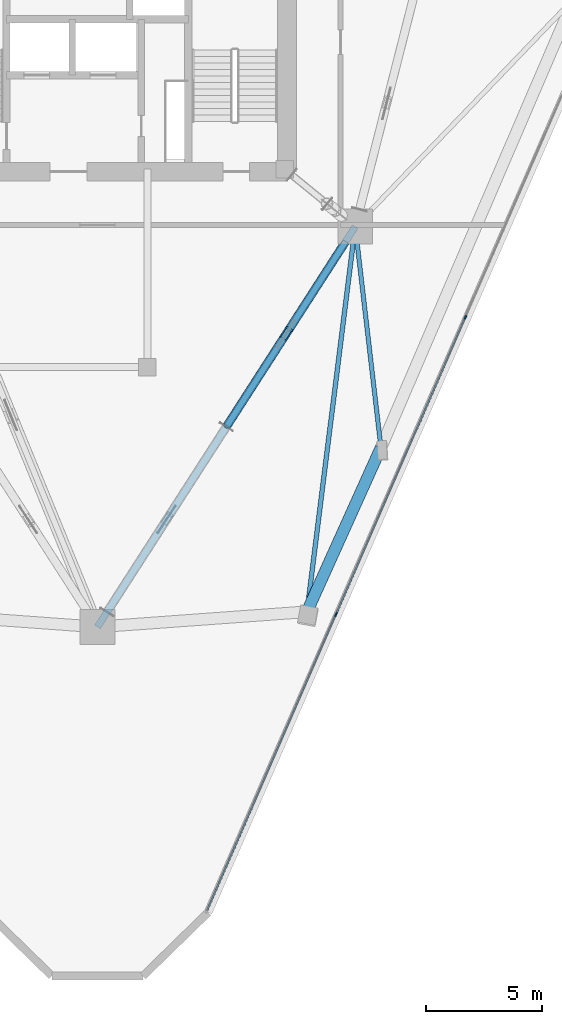
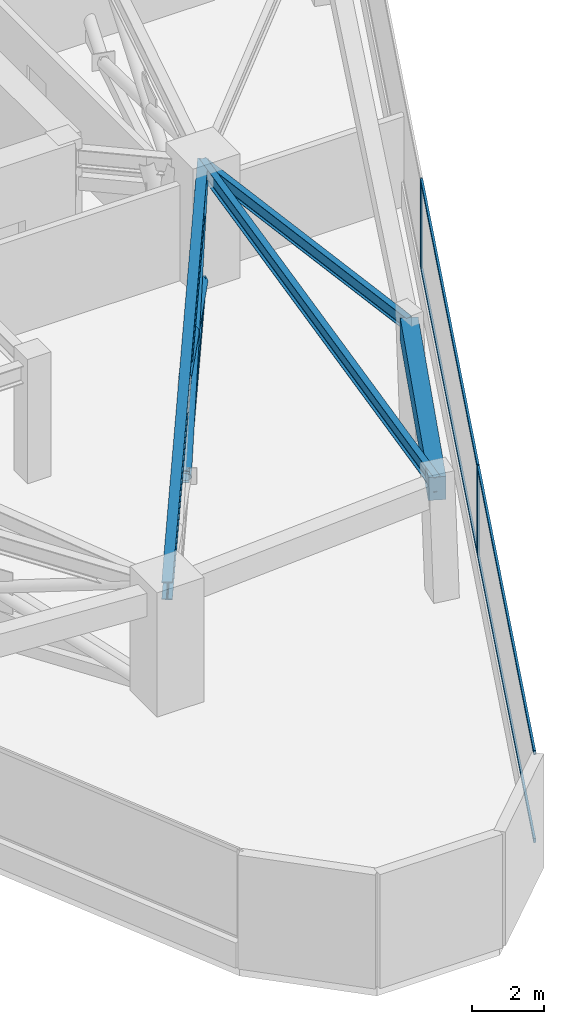
# One storey, part 4 of 13: 11 members, 4 beams, 1 element without a shape of its own.
"""IFC4 building model written with IfcOpenShell, lengths in metres."""

import ifcopenshell
import ifcopenshell.guid

model = None  # the IFC model being written
_history = None  # IfcOwnerHistory: only IFC2X3 demands one
_inside = {}  # id of a spatial element -> (the spatial element, [elements in it])
_under = {}  # id of a project, library or spatial element -> (it, [spatial elements below it])
_declared = {}  # id of a project -> (the project, [libraries it declares])
_typed = {}  # id of a type object -> (the type object, [elements of that type])
_made_of = {}  # id of a material, layer set ... -> (it, [elements and type objects made of it])


def new_model(schema):
    """Start an empty IFC model of exactly this schema.

    Asked for "IFC4X3", IfcOpenShell would pick the latest addendum, in which some entities
    have other attributes; the version numbers below select the first issue.
    IFC2X3 requires an IfcOwnerHistory on every rooted entity: one is made here for all.
    """
    global model, _history
    if schema == "IFC4X3":
        model = ifcopenshell.file(schema_version=(4, 3, 0, 0))
    else:
        model = ifcopenshell.file(schema=schema)
    _inside.clear()
    _under.clear()
    _declared.clear()
    _typed.clear()
    _made_of.clear()
    _history = None
    if model.schema == "IFC2X3":
        org = make("IfcOrganization", Name="unknown")
        user = make(
            "IfcPersonAndOrganization",
            ThePerson=make("IfcPerson", FamilyName="unknown"),
            TheOrganization=org,
        )
        app = make(
            "IfcApplication",
            ApplicationDeveloper=org,
            Version="unknown",
            ApplicationFullName="unknown",
            ApplicationIdentifier="unknown",
        )
        _history = make(
            "IfcOwnerHistory",
            OwningUser=user,
            OwningApplication=app,
            ChangeAction="ADDED",
            CreationDate=0,
        )
    return model


def make(cls, **values):
    """One entity of the class cls with the attributes given. An attribute that is None is left unset."""
    return model.create_entity(
        cls, **{name: value for name, value in values.items() if value is not None}
    )


def rooted(cls, **values):
    """An entity with a GlobalId (a new one), such as an element, a storey or a relation."""
    return make(cls, GlobalId=ifcopenshell.guid.new(), OwnerHistory=_history, **values)


def si_unit(unit_type, name, prefix=None):
    """IfcSIUnit, for example si_unit("LENGTHUNIT", "METRE", prefix="MILLI")."""
    return make("IfcSIUnit", UnitType=unit_type, Prefix=prefix, Name=name)


def assignment(units):
    """IfcUnitAssignment: the units of a project."""
    return None if units is None else make("IfcUnitAssignment", Units=units)


def point(xyz):
    """IfcCartesianPoint."""
    return None if xyz is None else make("IfcCartesianPoint", Coordinates=xyz)


def direction(xyz):
    """IfcDirection."""
    return None if xyz is None else make("IfcDirection", DirectionRatios=xyz)


def frame(location, z_axis=None, x_axis=None):
    """IfcAxis2Placement3D, a coordinate frame: its origin and axes. An axis left out is left unset."""
    return make(
        "IfcAxis2Placement3D",
        Location=point(location),
        Axis=direction(z_axis),
        RefDirection=direction(x_axis),
    )


def frame_2d(location, x_axis=None):
    """IfcAxis2Placement2D, a coordinate frame in the plane: its origin and x axis."""
    return make(
        "IfcAxis2Placement2D", Location=point(location), RefDirection=direction(x_axis)
    )


def origin():
    """The frame at (0, 0, 0) with its axes left unset."""
    return frame((0.0, 0.0, 0.0))


def origin_2d():
    """The frame at (0, 0) in the plane with its x axis left unset."""
    return frame_2d((0.0, 0.0))


def place(relative_to, where):
    """IfcLocalPlacement: puts the frame where relative to a parent placement (None: the world)."""
    return make(
        "IfcLocalPlacement", PlacementRelTo=relative_to, RelativePlacement=where
    )


def context(
    kind, dimensions, precision=None, world=None, true_north=None, identifier=None
):
    """IfcGeometricRepresentationContext, for example the 3D "Model" context."""
    return make(
        "IfcGeometricRepresentationContext",
        ContextIdentifier=identifier,
        ContextType=kind,
        CoordinateSpaceDimension=dimensions,
        Precision=precision,
        WorldCoordinateSystem=world,
        TrueNorth=true_north,
    )


def subcontext(parent, identifier, kind, view, scale=None):
    """IfcGeometricRepresentationSubContext, for example "Body" below "Model"."""
    return make(
        "IfcGeometricRepresentationSubContext",
        ContextIdentifier=identifier,
        ContextType=kind,
        ParentContext=parent,
        TargetScale=scale,
        TargetView=view,
    )


def project(units=None, contexts=None):
    """IfcProject with its units and contexts."""
    return rooted(
        "IfcProject",
        Name="project",
        RepresentationContexts=contexts,
        UnitsInContext=assignment(units),
    )


def spatial(cls, under=None, at=None, **own):
    """A site, building, storey or space (cls), placed at a placement, below another one or the project."""
    s = rooted(cls, ObjectPlacement=at, **own)
    if under is not None:
        _under.setdefault(under.id(), (under, []))[1].append(s)
    return s


def profile(cls, at=None, kind="AREA", **sizes):
    """A parametric profile (cls). Its sizes go by their IFC names, for example OverallWidth=200.0."""
    return make(cls, ProfileType=kind, Position=at, **sizes)


def rectangle(**sizes):
    """IfcRectangleProfileDef."""
    return profile("IfcRectangleProfileDef", **sizes)


def hollow_rectangle(**sizes):
    """IfcRectangleHollowProfileDef."""
    return profile("IfcRectangleHollowProfileDef", **sizes)


def hollow_circle(**sizes):
    """IfcCircleHollowProfileDef."""
    return profile("IfcCircleHollowProfileDef", **sizes)


def i_section(**sizes):
    """IfcIShapeProfileDef."""
    return profile("IfcIShapeProfileDef", **sizes)


def extrude(swept, where, along, depth):
    """IfcExtrudedAreaSolid: the profile swept, set in the frame where, extruded along a direction by depth."""
    return make(
        "IfcExtrudedAreaSolid",
        SweptArea=swept,
        Position=where,
        ExtrudedDirection=direction(along),
        Depth=depth,
    )


def shape(context_of_items, identifier, shape_type, items):
    """IfcShapeRepresentation: the items that make up one representation, for example the "Body"."""
    return make(
        "IfcShapeRepresentation",
        ContextOfItems=context_of_items,
        RepresentationIdentifier=identifier,
        RepresentationType=shape_type,
        Items=items,
    )


def material(Name=None, Category=None):
    """IfcMaterial."""
    return make("IfcMaterial", Name=Name, Category=Category)


def layer(
    of_material, thickness, ventilated=None, Name=None, Category=None, Priority=None
):
    """IfcMaterialLayer: one layer of a wall or slab, of a material (None: an air gap)."""
    return make(
        "IfcMaterialLayer",
        Material=of_material,
        LayerThickness=thickness,
        IsVentilated=ventilated,
        Name=Name,
        Category=Category,
        Priority=Priority,
    )


def layer_set(layers, Name=None):
    """IfcMaterialLayerSet."""
    return make("IfcMaterialLayerSet", MaterialLayers=layers, LayerSetName=Name)


def material_profile(
    of_material, cross_section, Name=None, Category=None, Priority=None
):
    """IfcMaterialProfile: a cross section and its material."""
    return make(
        "IfcMaterialProfile",
        Name=Name,
        Material=of_material,
        Profile=cross_section,
        Priority=Priority,
        Category=Category,
    )


def profile_set(profiles, Name=None, composite=None):
    """IfcMaterialProfileSet."""
    return make(
        "IfcMaterialProfileSet",
        Name=Name,
        MaterialProfiles=profiles,
        CompositeProfile=composite,
    )


def made_of(thing, what):
    """Note that an element or type object is made of a material, layer set ...; save() writes the relation."""
    if what is not None:
        _made_of.setdefault(what.id(), (what, []))[1].append(thing)
    return thing


def type_object(cls, material=None, **own):
    """A type object (cls), such as IfcWallType, which elements share."""
    return made_of(rooted(cls, **own), material)


def element(
    cls,
    number,
    at=None,
    inside=None,
    cuts=None,
    type_object=None,
    material=None,
    context=None,
    identifier="Body",
    shape_type=None,
    held_by="IfcProductDefinitionShape",
    body=None,
    shapes=None,
    **own,
):
    """One element of the class cls, such as IfcWall. Its Tag is "e" and its number.

    at: its placement. inside: the storey or other place that contains it. cuts: it is an
    opening in that element (IfcRelVoidsElement). A single representation is given by context,
    identifier, shape_type and body (its items); several are given by shapes. held_by: the class
    of the entity that holds the representations. save() writes the other relations.
    """
    e = rooted(cls, Tag="e%d" % number, ObjectPlacement=at, **own)
    if body is not None:
        shapes = [shape(context, identifier, shape_type, body)]
    if shapes is not None:
        e.Representation = make(held_by, Representations=shapes)
    if inside is not None:
        _inside.setdefault(inside.id(), (inside, []))[1].append(e)
    if cuts is not None:
        rooted(
            "IfcRelVoidsElement", RelatingBuildingElement=cuts, RelatedOpeningElement=e
        )
    if type_object is not None:
        _typed.setdefault(type_object.id(), (type_object, []))[1].append(e)
    return made_of(e, material)


def aggregate(whole, parts):
    """IfcRelAggregates: a whole, such as a stair, and the parts it consists of."""
    return rooted("IfcRelAggregates", RelatingObject=whole, RelatedObjects=parts)


def save(model, path):
    """Write the relations noted so far, then the file.

    IfcRelAggregates (storeys below a building ...), IfcRelContainedInSpatialStructure (elements
    in a storey), IfcRelDefinesByType, IfcRelAssociatesMaterial and IfcRelDeclares: one each for
    every whole, place, type object, material and project.
    """
    for whole, parts in _under.values():
        aggregate(whole, parts)
    for where, things in _inside.values():
        rooted(
            "IfcRelContainedInSpatialStructure",
            RelatedElements=things,
            RelatingStructure=where,
        )
    for kind, things in _typed.values():
        rooted("IfcRelDefinesByType", RelatedObjects=things, RelatingType=kind)
    for what, things in _made_of.values():
        rooted("IfcRelAssociatesMaterial", RelatedObjects=things, RelatingMaterial=what)
    for by, libraries in _declared.values():
        rooted("IfcRelDeclares", RelatingContext=by, RelatedDefinitions=libraries)
    model.write(path)


model = new_model("IFC4")

# Units and contexts
model_context = context("Model", 3, precision=1e-05, world=origin(), true_north=direction((0.0, 1.0)))
body_context = subcontext(model_context, "Body", "Model", "MODEL_VIEW")
ifc_project = project(units=[si_unit("LENGTHUNIT", "METRE"), si_unit("AREAUNIT", "SQUARE_METRE"), si_unit("VOLUMEUNIT", "CUBIC_METRE"), si_unit("PLANEANGLEUNIT", "RADIAN"), si_unit("MASSUNIT", "GRAM", prefix="KILO")], contexts=[model_context])

# Site, building, storey
site_placement = place(None, origin())
site = spatial("IfcSite", under=ifc_project, at=site_placement, CompositionType="ELEMENT")
building_placement = place(site_placement, origin())
building = spatial("IfcBuilding", under=site, at=building_placement, Name="Talyreon Biosciences Tower", CompositionType="ELEMENT")
storey_placement = place(building_placement, frame((0.0, 0.0, 171.0)))
storey = spatial("IfcBuildingStorey", under=building, at=storey_placement, Name="L45", CompositionType="ELEMENT", Elevation=171.0)

# Members
ifc_material_1 = material(Name="Steel SM355", Category="steel")
ifc_material_profile_1 = material_profile(ifc_material_1, hollow_circle(Radius=0.177734375, WallThickness=0.01416015625, at=origin_2d()), Name="CHS 355.6x14.2")
ifc_profile_set_1 = profile_set([ifc_material_profile_1], Name="Steel SM355")
member_type_1 = type_object("IfcMemberType", Name="BeltBrace_CHS355", PredefinedType="BRACE", material=ifc_profile_set_1)
member_1_placement = place(storey_placement, frame((71.543212890625, 50.273681640625, 0.239990234375), z_axis=(0.510337238787, 0.79239574314, 0.334162967669), x_axis=(-0.840724531563, 0.541463075405, 0.0)))
element("IfcMember", 1, at=member_1_placement, inside=storey, type_object=member_type_1, Name="L45 Continuous Diagonal BELT-L45-B1S2A", PredefinedType="BRACE", context=body_context, shape_type="SweptSolid", body=[
    extrude(hollow_circle(Radius=0.177734375, WallThickness=0.01416015625, at=origin_2d()), origin(), (0.0, 0.0, 1.0), 10.05517578125),
])
member_2_placement = place(storey_placement, frame((76.6748046875, 58.241455078125, 0.239990234375), z_axis=(-0.510374247918, -0.792378517498, 0.33414729098), x_axis=(0.840701297779, -0.541499148579, 0.0)))
element("IfcMember", 2, at=member_2_placement, inside=storey, type_object=member_type_1, Name="L45 Split Diagonal BELT-L45-B1S2B-Lower", PredefinedType="BRACE", context=body_context, shape_type="SweptSolid", body=[
    extrude(hollow_circle(Radius=0.177734375, WallThickness=0.01416015625, at=origin_2d()), origin(), (0.0, 0.0, 1.0), 4.747802734375),
])
member_3_placement = place(storey_placement, frame((73.966064453125, 54.03564453125, 2.013671875), z_axis=(-0.510336218108, -0.792399313263, 0.334156060587), x_axis=(0.840726135065, -0.541460585656, 0.0)))
element("IfcMember", 3, at=member_3_placement, inside=storey, type_object=member_type_1, Name="L45 Split Diagonal BELT-L45-B1S2B-Upper", PredefinedType="BRACE", context=body_context, shape_type="SweptSolid", body=[
    extrude(hollow_circle(Radius=0.177734375, WallThickness=0.01416015625, at=origin_2d()), origin(), (0.0, 0.0, 1.0), 4.74755859375),
])
ifc_material_profile_2 = material_profile(ifc_material_1, hollow_rectangle(XDim=0.25, YDim=0.39990234375, WallThickness=0.01611328125, at=origin_2d()), Name="RHS 400x250x16")
ifc_profile_set_2 = profile_set([ifc_material_profile_2], Name="Steel SM355")
member_type_2 = type_object("IfcMemberType", Name="BeltChord_RHS400x250", PredefinedType="CHORD", material=ifc_profile_set_2)
for number, where, z_axis, x_axis, name in (
    (4, (71.543212890625, 50.273681640625, 0.239990234375), (0.541463075405, 0.840724531563, 0.0), (-0.840724531563, 0.541463075405, 0.0), "L45 Truss Bottom Chord BELT-L45-B1S2"),
    (5, (71.543212890625, 50.273681640625, 3.60009765625), (0.541463075405, 0.840724531563, 0.0), (-0.840724531563, 0.541463075405, 0.0), "L45 Truss Top Chord BELT-L45-B1S2"),
):
    element("IfcMember", number, at=place(storey_placement, frame(where, z_axis=z_axis, x_axis=x_axis)), inside=storey, type_object=member_type_2, Name=name, PredefinedType="CHORD", context=body_context, shape_type="SweptSolid", body=[
        extrude(hollow_rectangle(XDim=0.25, YDim=0.39990234375, WallThickness=0.01611328125, at=origin_2d()), origin(), (0.0, 0.0, 1.0), 9.477294921875),
    ])

# Curtain wall, members
ifc_material_2 = material(Name="Thermally broken aluminium and low-E glazing", Category="aluminium")
ifc_layer = layer(ifc_material_2, 0.18505859375)
ifc_layer_set = layer_set([ifc_layer], Name="Thermally broken aluminium and low-E glazing")
curtain_wall_type = type_object("IfcCurtainWallType", Name="CurtainWall_Zone3Bioprocess", PredefinedType="NOTDEFINED", material=ifc_layer_set)
curtain_wall_placement = place(storey_placement, origin())
curtain_wall = element("IfcCurtainWall", 6, at=curtain_wall_placement, inside=storey, type_object=curtain_wall_type, Name="L45 Unitised Curtain Wall FCW-L45-08", PredefinedType="NOTDEFINED")
ifc_material_3 = material(Name="Anodised thermally broken aluminium", Category="aluminium")
ifc_material_profile_3 = material_profile(ifc_material_3, rectangle(XDim=0.06494140625, YDim=0.179931640625, at=origin_2d()), Name="ALUM MULLION 65x180")
ifc_profile_set_3 = profile_set([ifc_material_profile_3], Name="Anodised thermally broken aluminium")
member_type_3 = type_object("IfcMemberType", Name="CWMullion_65x180", PredefinedType="MULLION", material=ifc_profile_set_3)
member_4_placement = place(storey_placement, frame((81.824951171875, 54.984375, 0.81005859375), z_axis=(0.0, 0.0, 1.0), x_axis=(0.916820215501, -0.399300253505, 0.0)))
member_4 = element("IfcMember", 7, at=member_4_placement, type_object=member_type_3, Name="CW4 mullion 3", PredefinedType="MULLION", context=body_context, shape_type="SweptSolid", body=[
    extrude(rectangle(XDim=0.06494140625, YDim=0.179931640625, at=origin_2d()), origin(), (0.0, 0.0, 1.0), 3.0400390625),
])
member_5_placement = place(storey_placement, frame((76.259521484375, 42.205810546875, 0.81005859375), z_axis=(0.0, 0.0, 1.0), x_axis=(0.916820215501, -0.399300253505, 0.0)))
member_5 = element("IfcMember", 8, at=member_5_placement, type_object=member_type_3, Name="CW4 mullion 4", PredefinedType="MULLION", context=body_context, shape_type="SweptSolid", body=[
    extrude(rectangle(XDim=0.06494140625, YDim=0.179931640625, at=origin_2d()), origin(), (0.0, 0.0, 1.0), 3.0400390625),
])
ifc_material_profile_4 = material_profile(ifc_material_3, rectangle(XDim=0.06494140625, YDim=0.139892578125, at=origin_2d()), Name="ALUM TRANSOM 65x140")
ifc_profile_set_4 = profile_set([ifc_material_profile_4], Name="Anodised thermally broken aluminium")
member_type_4 = type_object("IfcMemberType", Name="CWTransom_65x140", PredefinedType="USERDEFINED", material=ifc_profile_set_4)
member_6_placement = place(storey_placement, frame((81.81201171875, 54.95458984375, 0.842529296875), z_axis=(-0.399305180689, -0.916818069562, 0.0), x_axis=(0.916818069562, -0.399305180689, 0.0)))
member_6 = element("IfcMember", 9, at=member_6_placement, type_object=member_type_4, Name="CW4 transom 3.1", ObjectType="TRANSOM", PredefinedType="USERDEFINED", context=body_context, shape_type="SweptSolid", body=[
    extrude(rectangle(XDim=0.06494140625, YDim=0.139892578125, at=origin_2d()), origin(), (0.0, 0.0, 1.0), 13.873046875),
])
member_7_placement = place(storey_placement, frame((81.81201171875, 54.95458984375, 3.8173828125), z_axis=(-0.399305180689, -0.916818069562, 0.0), x_axis=(0.916818069562, -0.399305180689, 0.0)))
member_7 = element("IfcMember", 10, at=member_7_placement, type_object=member_type_4, Name="CW4 transom 3.2", ObjectType="TRANSOM", PredefinedType="USERDEFINED", context=body_context, shape_type="SweptSolid", body=[
    extrude(rectangle(XDim=0.06494140625, YDim=0.139892578125, at=origin_2d()), origin(), (0.0, 0.0, 1.0), 13.873046875),
])
member_8_placement = place(storey_placement, frame((76.24658203125, 42.176025390625, 0.842529296875), z_axis=(-0.399298814497, -0.916820842227, 0.0), x_axis=(0.916820842227, -0.399298814497, 0.0)))
member_8 = element("IfcMember", 11, at=member_8_placement, type_object=member_type_4, Name="CW4 transom 4.1", ObjectType="TRANSOM", PredefinedType="USERDEFINED", context=body_context, shape_type="SweptSolid", body=[
    extrude(rectangle(XDim=0.06494140625, YDim=0.139892578125, at=origin_2d()), origin(), (0.0, 0.0, 1.0), 13.840087890625),
])
member_9_placement = place(storey_placement, frame((76.24658203125, 42.176025390625, 3.8173828125), z_axis=(-0.399298814497, -0.916820842227, 0.0), x_axis=(0.916820842227, -0.399298814497, 0.0)))
member_9 = element("IfcMember", 12, at=member_9_placement, type_object=member_type_4, Name="CW4 transom 4.2", ObjectType="TRANSOM", PredefinedType="USERDEFINED", context=body_context, shape_type="SweptSolid", body=[
    extrude(rectangle(XDim=0.06494140625, YDim=0.139892578125, at=origin_2d()), origin(), (0.0, 0.0, 1.0), 13.840087890625),
])
aggregate(curtain_wall, [member_4, member_5, member_6, member_7, member_8, member_9])

# Beams
ifc_material_4 = material(Name="Precast concrete C45/55", Category="concrete")
ifc_material_profile_5 = material_profile(ifc_material_4, rectangle(XDim=0.5, YDim=0.780029296875, at=origin_2d()), Name="RCB 500x780")
ifc_profile_set_5 = profile_set([ifc_material_profile_5], Name="Precast concrete C45/55")
beam_type_1 = type_object("IfcBeamType", Name="ExpressedSpandrel_500x780", PredefinedType="SPANDREL", material=ifc_profile_set_5)
beam_1_placement = place(storey_placement, frame((75.0107421875, 42.32080078125, 3.4599609375), z_axis=(0.411039919226, 0.911617345602, 0.0), x_axis=(-0.911617345602, 0.411039919226, 0.0)))
element("IfcBeam", 13, at=beam_1_placement, inside=storey, type_object=beam_type_1, Name="L45 Expressed Horizontal Concrete Spandrel 02", PredefinedType="SPANDREL", context=body_context, shape_type="SweptSolid", body=[
    extrude(rectangle(XDim=0.5, YDim=0.780029296875, at=origin_2d()), origin(), (0.0, 0.0, 1.0), 7.740966796875),
])
ifc_material_profile_6 = material_profile(ifc_material_1, i_section(OverallWidth=0.300048828125, OverallDepth=0.60009765625, WebThickness=0.015380859375, FlangeThickness=0.030029296875, FilletRadius=0.027099609375, at=origin_2d()), Name="HE600B")
ifc_profile_set_6 = profile_set([ifc_material_profile_6], Name="Steel SM355")
beam_type_2 = type_object("IfcBeamType", Name="SteelBeam_HE600B", PredefinedType="BEAM", material=ifc_profile_set_6)
beam_2_placement = place(storey_placement, frame((66.0, 41.6669921875, 3.550048828125), z_axis=(0.541463723609, 0.840724114092, 0.0), x_axis=(-0.840724114092, 0.541463723609, 0.0)))
element("IfcBeam", 14, at=beam_2_placement, inside=storey, type_object=beam_type_2, Name="L45 Mega-Ring Girder 1", PredefinedType="BEAM", context=body_context, shape_type="SweptSolid", body=[
    extrude(i_section(OverallWidth=0.300048828125, OverallDepth=0.60009765625, WebThickness=0.015380859375, FlangeThickness=0.030029296875, FilletRadius=0.027099609375, at=origin_2d()), origin(), (0.0, 0.0, 1.0), 20.474365234375),
])
ifc_material_profile_7 = material_profile(ifc_material_1, i_section(OverallWidth=0.18994140625, OverallDepth=0.449951171875, WebThickness=0.009521484375, FlangeThickness=0.0146484375, FilletRadius=0.02099609375, at=origin_2d()), Name="IPE450")
ifc_profile_set_7 = profile_set([ifc_material_profile_7], Name="Steel SM355")
beam_type_3 = type_object("IfcBeamType", Name="SteelJoist_IPE450", PredefinedType="JOIST", material=ifc_profile_set_7)
beam_3_placement = place(storey_placement, frame((77.086181640625, 58.88037109375, 3.625), z_axis=(0.115653686929, -0.9932895976, 0.0), x_axis=(0.9932895976, 0.115653686929, 0.0)))
element("IfcBeam", 15, at=beam_3_placement, inside=storey, type_object=beam_type_3, Name="L45 Radial Composite Floor Joist PL-SE", PredefinedType="JOIST", context=body_context, shape_type="SweptSolid", body=[
    extrude(i_section(OverallWidth=0.18994140625, OverallDepth=0.449951171875, WebThickness=0.009521484375, FlangeThickness=0.0146484375, FilletRadius=0.02099609375, at=origin_2d()), origin(), (0.0, 0.0, 1.0), 9.56689453125),
])
ifc_material_profile_8 = material_profile(ifc_material_1, i_section(OverallWidth=0.199951171875, OverallDepth=0.5, WebThickness=0.01025390625, FlangeThickness=0.01611328125, FilletRadius=0.02099609375, at=origin_2d()), Name="IPE500")
ifc_profile_set_8 = profile_set([ifc_material_profile_8], Name="Steel SM355")
beam_type_4 = type_object("IfcBeamType", Name="SteelJoist_IPE500", PredefinedType="JOIST", material=ifc_profile_set_8)
beam_4_placement = place(storey_placement, frame((77.086181640625, 58.88037109375, 3.60009765625), z_axis=(-0.124358810547, -0.992237313469, 0.0), x_axis=(0.992237313469, -0.124358810547, 0.0)))
element("IfcBeam", 16, at=beam_4_placement, inside=storey, type_object=beam_type_4, Name="L45 Radial Composite Floor Joist PC-SE1", PredefinedType="JOIST", context=body_context, shape_type="SweptSolid", body=[
    extrude(i_section(OverallWidth=0.199951171875, OverallDepth=0.5, WebThickness=0.01025390625, FlangeThickness=0.01611328125, FilletRadius=0.02099609375, at=origin_2d()), origin(), (0.0, 0.0, 1.0), 16.689208984375),
])

save(model, "model.ifc")
